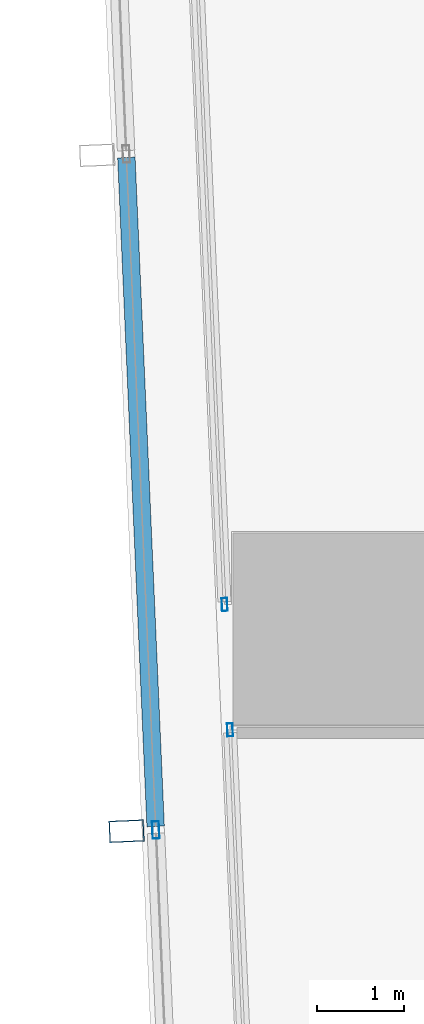
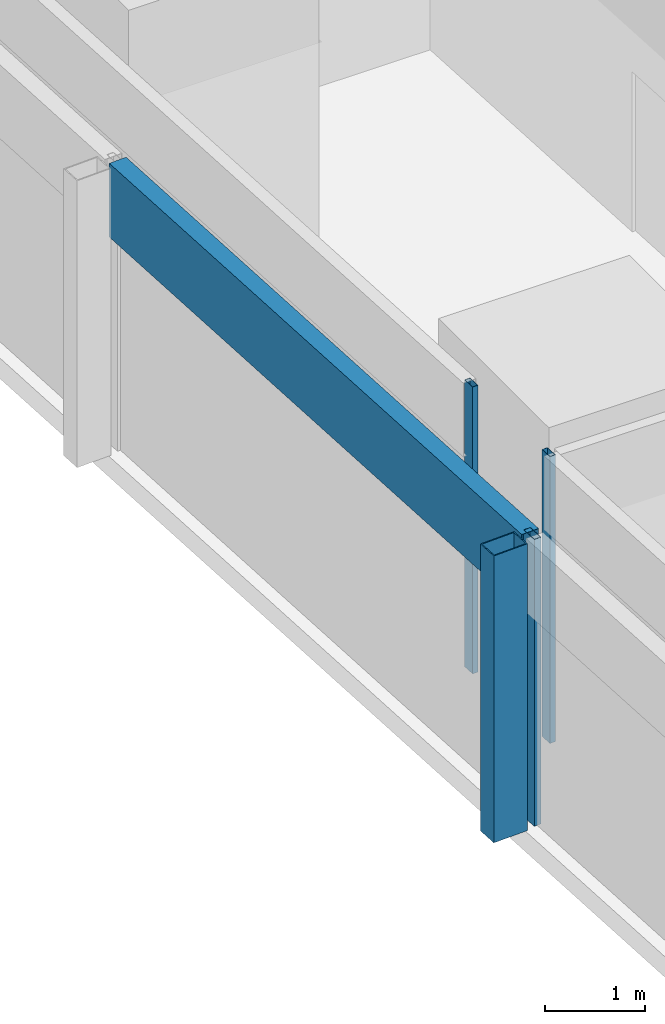
# One storey, part 4 of 44: 5 members, 3 elements without a shape of their own.
"""IFC4 building model written with IfcOpenShell, lengths in metres."""

from ifc_helpers import new_model, si_unit, direction, frame, origin, origin_2d, place, context, subcontext, project, spatial, hollow_rectangle, extrude, material, material_profile, profile_set, type_object, element, aggregate, save


model = new_model("IFC4")

# Units and contexts
model_context = context("Model", 3, precision=1e-05, world=origin(), true_north=direction((0.0, 1.0)))
body_context = subcontext(model_context, "Body", "Model", "MODEL_VIEW")
ifc_project = project(units=[si_unit("LENGTHUNIT", "METRE"), si_unit("AREAUNIT", "SQUARE_METRE"), si_unit("VOLUMEUNIT", "CUBIC_METRE"), si_unit("PLANEANGLEUNIT", "RADIAN"), si_unit("MASSUNIT", "GRAM", prefix="KILO")], contexts=[model_context])

# Site, building, storey
site_placement = place(None, origin())
site = spatial("IfcSite", under=ifc_project, at=site_placement, CompositionType="ELEMENT")
building_placement = place(site_placement, origin())
building = spatial("IfcBuilding", under=site, at=building_placement, Name="Rekha Terrace Tower", CompositionType="ELEMENT")
storey_placement = place(building_placement, frame((0.0, 0.0, 74.14990234375)))
storey = spatial("IfcBuildingStorey", under=building, at=storey_placement, Name="L18", CompositionType="ELEMENT", Elevation=74.14990234375)

# Curtain wall, member
ifc_material_1 = material(Name="Aluminium framing", Category="aluminium")
curtain_wall_type_1 = type_object("IfcCurtainWallType", Name="CW2 double skin outer glazing", PredefinedType="USERDEFINED", material=ifc_material_1)
curtain_wall_1_placement = place(storey_placement, origin())
curtain_wall_1 = element("IfcCurtainWall", 1, at=curtain_wall_1_placement, inside=storey, type_object=curtain_wall_type_1, Name="CW2 double skin outer glazing", ObjectType="DOUBLE SKIN OUTER GLAZING", PredefinedType="USERDEFINED")
ifc_material_2 = material(Name="Steel S355 with fluorocarbon finish", Category="steel")
ifc_material_profile_1 = material_profile(ifc_material_2, hollow_rectangle(XDim=0.25, YDim=0.39990234375, WallThickness=0.012451171875, at=origin_2d()), Name="RHS400x250x12.5")
ifc_profile_set_1 = profile_set([ifc_material_profile_1], Name="Steel S355 with fluorocarbon finish")
member_type_1 = type_object("IfcMemberType", Name="BL1 facade blade RHS 400 x 250", PredefinedType="USERDEFINED", material=ifc_profile_set_1)
member_1_placement = place(storey_placement, frame((6.080078125, 14.482421875, 0.0), z_axis=(0.0, 0.0, 1.0), x_axis=(0.04368215933, -0.999045478923, 0.0)))
member_1 = element("IfcMember", 2, at=member_1_placement, type_object=member_type_1, Name="Facade blade", ObjectType="FACADE BLADE", PredefinedType="USERDEFINED", context=body_context, shape_type="SweptSolid", body=[
    extrude(hollow_rectangle(XDim=0.25, YDim=0.39990234375, WallThickness=0.012451171875, at=origin_2d()), origin(), (0.0, 0.0, 1.0), 3.5),
])

curtain_wall_type_2 = type_object("IfcCurtainWallType", Name="CW1 double skin inner glazing", PredefinedType="USERDEFINED", material=ifc_material_1)
curtain_wall_2_placement = place(storey_placement, origin())
curtain_wall_2 = element("IfcCurtainWall", 3, at=curtain_wall_2_placement, inside=storey, type_object=curtain_wall_type_2, Name="CW1 double skin inner glazing", ObjectType="DOUBLE SKIN INNER GLAZING", PredefinedType="USERDEFINED")
ifc_material_3 = material(Name="Aluminium mullion section", Category="aluminium")
ifc_material_profile_2 = material_profile(ifc_material_3, hollow_rectangle(XDim=0.06494140625, YDim=0.14990234375, WallThickness=0.00390625, at=origin_2d()), Name="AL RHS 65x150")
ifc_profile_set_2 = profile_set([ifc_material_profile_2], Name="Aluminium mullion section")
member_type_2 = type_object("IfcMemberType", Name="CW1 mullion RHS 65 x 150", PredefinedType="MULLION", material=ifc_profile_set_2)
member_2_placement = place(storey_placement, frame((7.202880859375, 17.07958984375, 0.0), z_axis=(0.0, 0.0, 1.0), x_axis=(0.999045462133, 0.043682543337, 0.0)))
member_2 = element("IfcMember", 4, at=member_2_placement, type_object=member_type_2, Name="CW1 mullion 4", PredefinedType="MULLION", context=body_context, shape_type="SweptSolid", body=[
    extrude(hollow_rectangle(XDim=0.06494140625, YDim=0.14990234375, WallThickness=0.00390625, at=origin_2d()), origin(), (0.0, 0.0, 1.0), 3.5),
])
aggregate(curtain_wall_2, [member_2])

curtain_wall_3_placement = place(storey_placement, origin())
curtain_wall_3 = element("IfcCurtainWall", 5, at=curtain_wall_3_placement, inside=storey, type_object=curtain_wall_type_2, Name="CW1 double skin inner glazing", ObjectType="DOUBLE SKIN INNER GLAZING", PredefinedType="USERDEFINED")
member_3_placement = place(storey_placement, frame((7.265625, 15.643310546875, 0.0), z_axis=(0.0, 0.0, 1.0), x_axis=(0.999045462129, 0.043682543424, 0.0)))
member_3 = element("IfcMember", 6, at=member_3_placement, type_object=member_type_2, Name="CW1 mullion 1", PredefinedType="MULLION", context=body_context, shape_type="SweptSolid", body=[
    extrude(hollow_rectangle(XDim=0.06494140625, YDim=0.14990234375, WallThickness=0.00390625, at=origin_2d()), origin(), (0.0, 0.0, 1.0), 3.5),
])
aggregate(curtain_wall_3, [member_3])

# Member
ifc_material_profile_3 = material_profile(ifc_material_3, hollow_rectangle(XDim=0.080078125, YDim=0.199951171875, WallThickness=0.00390625, at=origin_2d()), Name="AL RHS 80x200")
ifc_profile_set_3 = profile_set([ifc_material_profile_3], Name="Aluminium mullion section")
member_type_3 = type_object("IfcMemberType", Name="CW2 mullion RHS 80 x 200", PredefinedType="MULLION", material=ifc_profile_set_3)
member_4_placement = place(storey_placement, frame((6.414794921875, 14.4970703125, 0.0), z_axis=(0.0, 0.0, 1.0), x_axis=(0.999045462131, 0.043682543372, 0.0)))
member_4 = element("IfcMember", 7, at=member_4_placement, type_object=member_type_3, Name="CW2 mullion 5", PredefinedType="MULLION", context=body_context, shape_type="SweptSolid", body=[
    extrude(hollow_rectangle(XDim=0.080078125, YDim=0.199951171875, WallThickness=0.00390625, at=origin_2d()), origin(), (0.0, 0.0, 1.0), 3.5),
])

ifc_material_4 = material(Name="Insulated aluminium spandrel box", Category="aluminium")
ifc_material_profile_4 = material_profile(ifc_material_4, hollow_rectangle(XDim=0.199951171875, YDim=0.89990234375, WallThickness=0.0029296875, at=origin_2d()), Name="AL SPANDREL BOX 200x900")
ifc_profile_set_4 = profile_set([ifc_material_profile_4], Name="Insulated aluminium spandrel box")
member_type_4 = type_object("IfcMemberType", Name="CW2 spandrel transom 200 x 900", PredefinedType="USERDEFINED", material=ifc_profile_set_4)
member_5_placement = place(storey_placement, frame((6.077880859375, 22.201416015625, 3.050048828125), z_axis=(0.043694095051, -0.999044956975, 0.0), x_axis=(0.999044956975, 0.043694095051, 0.0)))
member_5 = element("IfcMember", 8, at=member_5_placement, type_object=member_type_4, Name="CW2 spandrel transom 4", ObjectType="TRANSOM", PredefinedType="USERDEFINED", context=body_context, shape_type="SweptSolid", body=[
    extrude(hollow_rectangle(XDim=0.199951171875, YDim=0.89990234375, WallThickness=0.0029296875, at=origin_2d()), origin(), (0.0, 0.0, 1.0), 7.671630859375),
])

aggregate(curtain_wall_1, [member_4, member_5, member_1])

save(model, "model.ifc")
